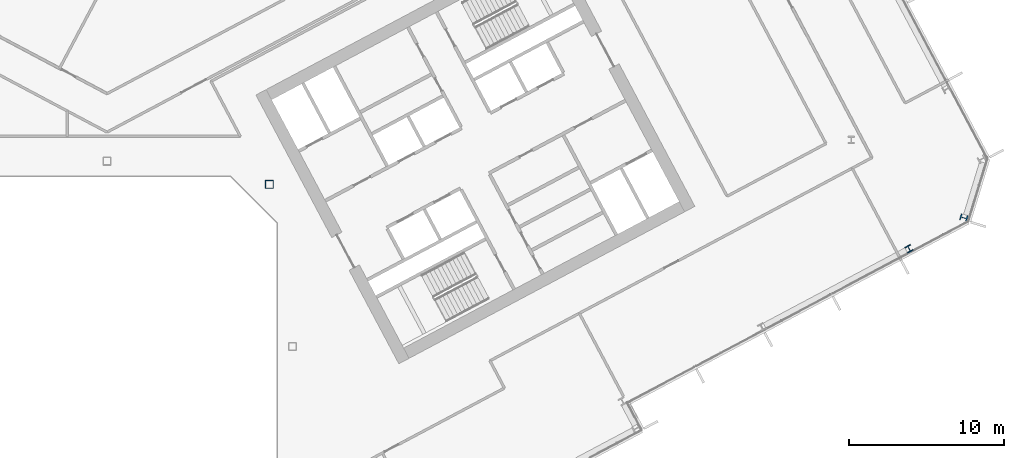
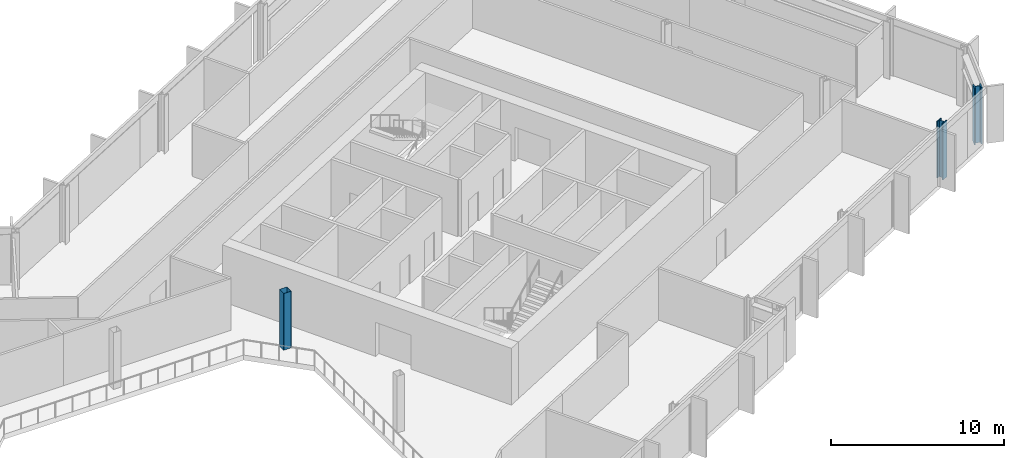
# One storey, part 6 of 28: 3 columns.
"""IFC4 building model written with IfcOpenShell, lengths in metres."""

import ifcopenshell
import ifcopenshell.guid

model = None  # the IFC model being written
_history = None  # IfcOwnerHistory: only IFC2X3 demands one
_inside = {}  # id of a spatial element -> (the spatial element, [elements in it])
_under = {}  # id of a project, library or spatial element -> (it, [spatial elements below it])
_declared = {}  # id of a project -> (the project, [libraries it declares])
_typed = {}  # id of a type object -> (the type object, [elements of that type])
_made_of = {}  # id of a material, layer set ... -> (it, [elements and type objects made of it])


def new_model(schema):
    """Start an empty IFC model of exactly this schema.

    Asked for "IFC4X3", IfcOpenShell would pick the latest addendum, in which some entities
    have other attributes; the version numbers below select the first issue.
    IFC2X3 requires an IfcOwnerHistory on every rooted entity: one is made here for all.
    """
    global model, _history
    if schema == "IFC4X3":
        model = ifcopenshell.file(schema_version=(4, 3, 0, 0))
    else:
        model = ifcopenshell.file(schema=schema)
    _inside.clear()
    _under.clear()
    _declared.clear()
    _typed.clear()
    _made_of.clear()
    _history = None
    if model.schema == "IFC2X3":
        org = make("IfcOrganization", Name="unknown")
        user = make(
            "IfcPersonAndOrganization",
            ThePerson=make("IfcPerson", FamilyName="unknown"),
            TheOrganization=org,
        )
        app = make(
            "IfcApplication",
            ApplicationDeveloper=org,
            Version="unknown",
            ApplicationFullName="unknown",
            ApplicationIdentifier="unknown",
        )
        _history = make(
            "IfcOwnerHistory",
            OwningUser=user,
            OwningApplication=app,
            ChangeAction="ADDED",
            CreationDate=0,
        )
    return model


def make(cls, **values):
    """One entity of the class cls with the attributes given. An attribute that is None is left unset."""
    return model.create_entity(
        cls, **{name: value for name, value in values.items() if value is not None}
    )


def rooted(cls, **values):
    """An entity with a GlobalId (a new one), such as an element, a storey or a relation."""
    return make(cls, GlobalId=ifcopenshell.guid.new(), OwnerHistory=_history, **values)


def si_unit(unit_type, name, prefix=None):
    """IfcSIUnit, for example si_unit("LENGTHUNIT", "METRE", prefix="MILLI")."""
    return make("IfcSIUnit", UnitType=unit_type, Prefix=prefix, Name=name)


def assignment(units):
    """IfcUnitAssignment: the units of a project."""
    return None if units is None else make("IfcUnitAssignment", Units=units)


def point(xyz):
    """IfcCartesianPoint."""
    return None if xyz is None else make("IfcCartesianPoint", Coordinates=xyz)


def direction(xyz):
    """IfcDirection."""
    return None if xyz is None else make("IfcDirection", DirectionRatios=xyz)


def frame(location, z_axis=None, x_axis=None):
    """IfcAxis2Placement3D, a coordinate frame: its origin and axes. An axis left out is left unset."""
    return make(
        "IfcAxis2Placement3D",
        Location=point(location),
        Axis=direction(z_axis),
        RefDirection=direction(x_axis),
    )


def frame_2d(location, x_axis=None):
    """IfcAxis2Placement2D, a coordinate frame in the plane: its origin and x axis."""
    return make(
        "IfcAxis2Placement2D", Location=point(location), RefDirection=direction(x_axis)
    )


def origin():
    """The frame at (0, 0, 0) with its axes left unset."""
    return frame((0.0, 0.0, 0.0))


def origin_2d():
    """The frame at (0, 0) in the plane with its x axis left unset."""
    return frame_2d((0.0, 0.0))


def place(relative_to, where):
    """IfcLocalPlacement: puts the frame where relative to a parent placement (None: the world)."""
    return make(
        "IfcLocalPlacement", PlacementRelTo=relative_to, RelativePlacement=where
    )


def context(
    kind, dimensions, precision=None, world=None, true_north=None, identifier=None
):
    """IfcGeometricRepresentationContext, for example the 3D "Model" context."""
    return make(
        "IfcGeometricRepresentationContext",
        ContextIdentifier=identifier,
        ContextType=kind,
        CoordinateSpaceDimension=dimensions,
        Precision=precision,
        WorldCoordinateSystem=world,
        TrueNorth=true_north,
    )


def subcontext(parent, identifier, kind, view, scale=None):
    """IfcGeometricRepresentationSubContext, for example "Body" below "Model"."""
    return make(
        "IfcGeometricRepresentationSubContext",
        ContextIdentifier=identifier,
        ContextType=kind,
        ParentContext=parent,
        TargetScale=scale,
        TargetView=view,
    )


def project(units=None, contexts=None):
    """IfcProject with its units and contexts."""
    return rooted(
        "IfcProject",
        Name="project",
        RepresentationContexts=contexts,
        UnitsInContext=assignment(units),
    )


def spatial(cls, under=None, at=None, **own):
    """A site, building, storey or space (cls), placed at a placement, below another one or the project."""
    s = rooted(cls, ObjectPlacement=at, **own)
    if under is not None:
        _under.setdefault(under.id(), (under, []))[1].append(s)
    return s


def profile(cls, at=None, kind="AREA", **sizes):
    """A parametric profile (cls). Its sizes go by their IFC names, for example OverallWidth=200.0."""
    return make(cls, ProfileType=kind, Position=at, **sizes)


def hollow_rectangle(**sizes):
    """IfcRectangleHollowProfileDef."""
    return profile("IfcRectangleHollowProfileDef", **sizes)


def i_section(**sizes):
    """IfcIShapeProfileDef."""
    return profile("IfcIShapeProfileDef", **sizes)


def extrude(swept, where, along, depth):
    """IfcExtrudedAreaSolid: the profile swept, set in the frame where, extruded along a direction by depth."""
    return make(
        "IfcExtrudedAreaSolid",
        SweptArea=swept,
        Position=where,
        ExtrudedDirection=direction(along),
        Depth=depth,
    )


def shape(context_of_items, identifier, shape_type, items):
    """IfcShapeRepresentation: the items that make up one representation, for example the "Body"."""
    return make(
        "IfcShapeRepresentation",
        ContextOfItems=context_of_items,
        RepresentationIdentifier=identifier,
        RepresentationType=shape_type,
        Items=items,
    )


def material(Name=None, Category=None):
    """IfcMaterial."""
    return make("IfcMaterial", Name=Name, Category=Category)


def material_profile(
    of_material, cross_section, Name=None, Category=None, Priority=None
):
    """IfcMaterialProfile: a cross section and its material."""
    return make(
        "IfcMaterialProfile",
        Name=Name,
        Material=of_material,
        Profile=cross_section,
        Priority=Priority,
        Category=Category,
    )


def profile_set(profiles, Name=None, composite=None):
    """IfcMaterialProfileSet."""
    return make(
        "IfcMaterialProfileSet",
        Name=Name,
        MaterialProfiles=profiles,
        CompositeProfile=composite,
    )


def made_of(thing, what):
    """Note that an element or type object is made of a material, layer set ...; save() writes the relation."""
    if what is not None:
        _made_of.setdefault(what.id(), (what, []))[1].append(thing)
    return thing


def type_object(cls, material=None, **own):
    """A type object (cls), such as IfcWallType, which elements share."""
    return made_of(rooted(cls, **own), material)


def element(
    cls,
    number,
    at=None,
    inside=None,
    cuts=None,
    type_object=None,
    material=None,
    context=None,
    identifier="Body",
    shape_type=None,
    held_by="IfcProductDefinitionShape",
    body=None,
    shapes=None,
    **own,
):
    """One element of the class cls, such as IfcWall. Its Tag is "e" and its number.

    at: its placement. inside: the storey or other place that contains it. cuts: it is an
    opening in that element (IfcRelVoidsElement). A single representation is given by context,
    identifier, shape_type and body (its items); several are given by shapes. held_by: the class
    of the entity that holds the representations. save() writes the other relations.
    """
    e = rooted(cls, Tag="e%d" % number, ObjectPlacement=at, **own)
    if body is not None:
        shapes = [shape(context, identifier, shape_type, body)]
    if shapes is not None:
        e.Representation = make(held_by, Representations=shapes)
    if inside is not None:
        _inside.setdefault(inside.id(), (inside, []))[1].append(e)
    if cuts is not None:
        rooted(
            "IfcRelVoidsElement", RelatingBuildingElement=cuts, RelatedOpeningElement=e
        )
    if type_object is not None:
        _typed.setdefault(type_object.id(), (type_object, []))[1].append(e)
    return made_of(e, material)


def aggregate(whole, parts):
    """IfcRelAggregates: a whole, such as a stair, and the parts it consists of."""
    return rooted("IfcRelAggregates", RelatingObject=whole, RelatedObjects=parts)


def save(model, path):
    """Write the relations noted so far, then the file.

    IfcRelAggregates (storeys below a building ...), IfcRelContainedInSpatialStructure (elements
    in a storey), IfcRelDefinesByType, IfcRelAssociatesMaterial and IfcRelDeclares: one each for
    every whole, place, type object, material and project.
    """
    for whole, parts in _under.values():
        aggregate(whole, parts)
    for where, things in _inside.values():
        rooted(
            "IfcRelContainedInSpatialStructure",
            RelatedElements=things,
            RelatingStructure=where,
        )
    for kind, things in _typed.values():
        rooted("IfcRelDefinesByType", RelatedObjects=things, RelatingType=kind)
    for what, things in _made_of.values():
        rooted("IfcRelAssociatesMaterial", RelatedObjects=things, RelatingMaterial=what)
    for by, libraries in _declared.values():
        rooted("IfcRelDeclares", RelatingContext=by, RelatedDefinitions=libraries)
    model.write(path)


model = new_model("IFC4")

# Units and contexts
model_context = context("Model", 3, precision=1e-05, world=origin(), true_north=direction((0.0, 1.0)))
body_context = subcontext(model_context, "Body", "Model", "MODEL_VIEW")
ifc_project = project(units=[si_unit("LENGTHUNIT", "METRE"), si_unit("AREAUNIT", "SQUARE_METRE"), si_unit("VOLUMEUNIT", "CUBIC_METRE"), si_unit("PLANEANGLEUNIT", "RADIAN"), si_unit("MASSUNIT", "GRAM", prefix="KILO")], contexts=[model_context])

# Site, building, storey
site_placement = place(None, origin())
site = spatial("IfcSite", under=ifc_project, at=site_placement, CompositionType="ELEMENT")
building_placement = place(site_placement, origin())
building = spatial("IfcBuilding", under=site, at=building_placement, Name="Cormorant Relay Tower", CompositionType="ELEMENT")
storey_placement = place(building_placement, frame((0.0, 0.0, 158.199951171875)))
storey = spatial("IfcBuildingStorey", under=building, at=storey_placement, Name="L33", CompositionType="ELEMENT", Elevation=158.199951171875)

# Columns
ifc_material_1 = material(Name="Steel ASTM A500 Grade C (Fy 345 MPa)", Category="steel")
ifc_material_profile_1 = material_profile(ifc_material_1, hollow_rectangle(XDim=0.508056640625, YDim=0.508056640625, WallThickness=0.01171875, InnerFilletRadius=0.005859375, OuterFilletRadius=0.017822265625, at=origin_2d()), Name="HSS508x508x12")
ifc_profile_set_1 = profile_set([ifc_material_profile_1], Name="Steel ASTM A500 Grade C (Fy 345 MPa)")
column_type_1 = type_object("IfcColumnType", Name="Column HSS508x508x12", PredefinedType="COLUMN", material=ifc_profile_set_1)
column_1_placement = place(storey_placement, frame((10.5, 10.5, 0.0), z_axis=(0.0, 0.0, 1.0), x_axis=(1.0, 0.0, 0.0)))
element("IfcColumn", 1, at=column_1_placement, inside=storey, type_object=column_type_1, Name="Column L33-024", PredefinedType="COLUMN", context=body_context, shape_type="SweptSolid", body=[
    extrude(hollow_rectangle(XDim=0.508056640625, YDim=0.508056640625, WallThickness=0.01171875, InnerFilletRadius=0.005859375, OuterFilletRadius=0.017822265625, at=origin_2d()), origin(), (0.0, 0.0, 1.0), 4.0),
])
ifc_material_2 = material(Name="Steel ASTM A992 (Fy 345 MPa)", Category="steel")
ifc_material_profile_2 = material_profile(ifc_material_2, i_section(OverallWidth=0.41162109375, OverallDepth=0.434326171875, WebThickness=0.035888671875, FlangeThickness=0.057373046875, FilletRadius=0.01513671875, at=origin_2d()), Name="W360x463")
ifc_profile_set_2 = profile_set([ifc_material_profile_2], Name="Steel ASTM A992 (Fy 345 MPa)")
column_type_2 = type_object("IfcColumnType", Name="Column W360x463", PredefinedType="COLUMN", material=ifc_profile_set_2)
column_2_placement = place(storey_placement, frame((51.905029296875, 6.327880859375, 0.0), z_axis=(0.0, 0.0, 1.0), x_axis=(0.882947592859, 0.469471562786, 0.0)))
element("IfcColumn", 2, at=column_2_placement, inside=storey, type_object=column_type_2, Name="Column L33-020", PredefinedType="COLUMN", context=body_context, shape_type="SweptSolid", body=[
    extrude(i_section(OverallWidth=0.41162109375, OverallDepth=0.434326171875, WebThickness=0.035888671875, FlangeThickness=0.057373046875, FilletRadius=0.01513671875, at=origin_2d()), origin(), (0.0, 0.0, 1.0), 4.0),
])
ifc_material_3 = material(Name="Steel ASTM A992 (Fy 345 MPa)", Category="steel")
ifc_material_profile_3 = material_profile(ifc_material_3, i_section(OverallWidth=0.42431640625, OverallDepth=0.47509765625, WebThickness=0.0478515625, FlangeThickness=0.0771484375, FilletRadius=0.014892578125, at=origin_2d()), Name="W360x634")
ifc_profile_set_3 = profile_set([ifc_material_profile_3], Name="Steel ASTM A992 (Fy 345 MPa)")
column_type_3 = type_object("IfcColumnType", Name="Column W360x634", PredefinedType="COLUMN", material=ifc_profile_set_3)
column_3_placement = place(storey_placement, frame((55.446044921875, 8.3291015625, 0.0), z_axis=(0.0, 0.0, 1.0), x_axis=(0.292371704723, 0.956304755963, 0.0)))
element("IfcColumn", 3, at=column_3_placement, inside=storey, type_object=column_type_3, Name="Column L33-021", PredefinedType="COLUMN", context=body_context, shape_type="SweptSolid", body=[
    extrude(i_section(OverallWidth=0.42431640625, OverallDepth=0.47509765625, WebThickness=0.0478515625, FlangeThickness=0.0771484375, FilletRadius=0.014892578125, at=origin_2d()), origin(), (0.0, 0.0, 1.0), 4.0),
])

save(model, "model.ifc")
